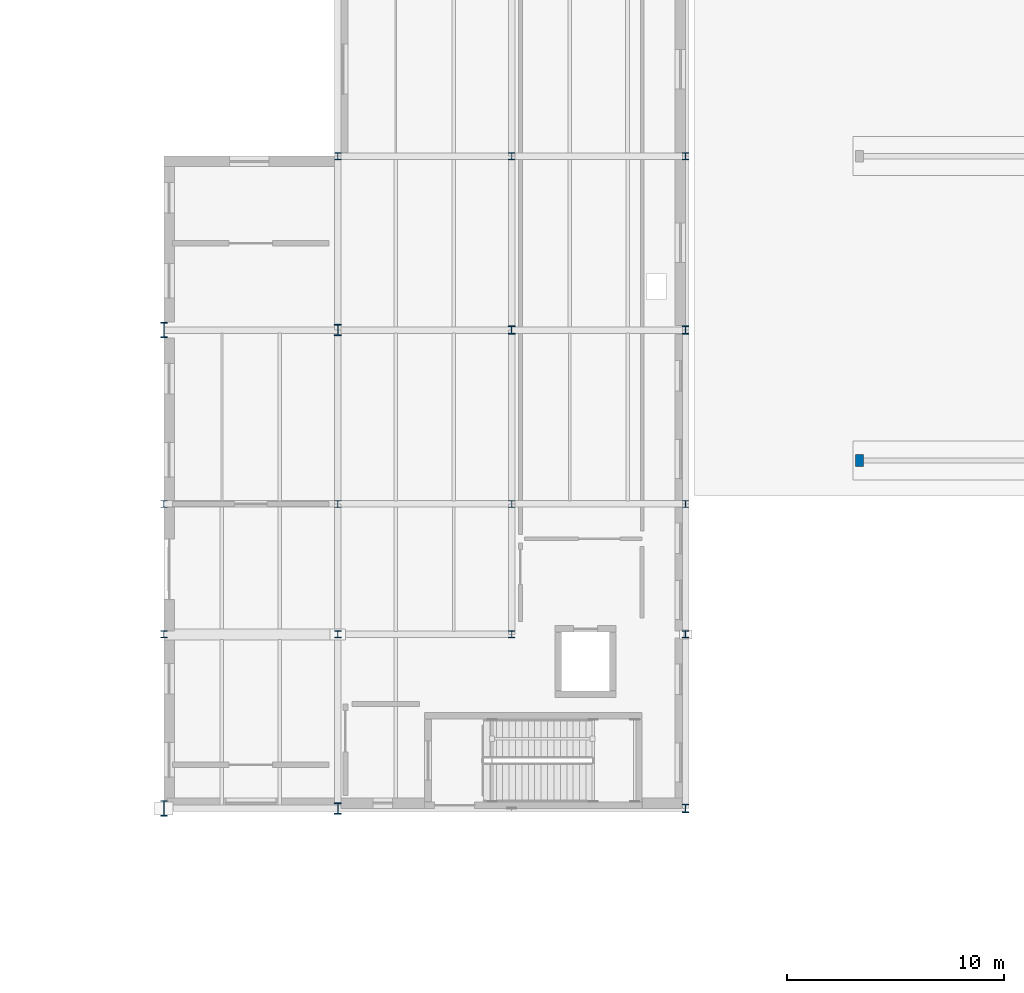
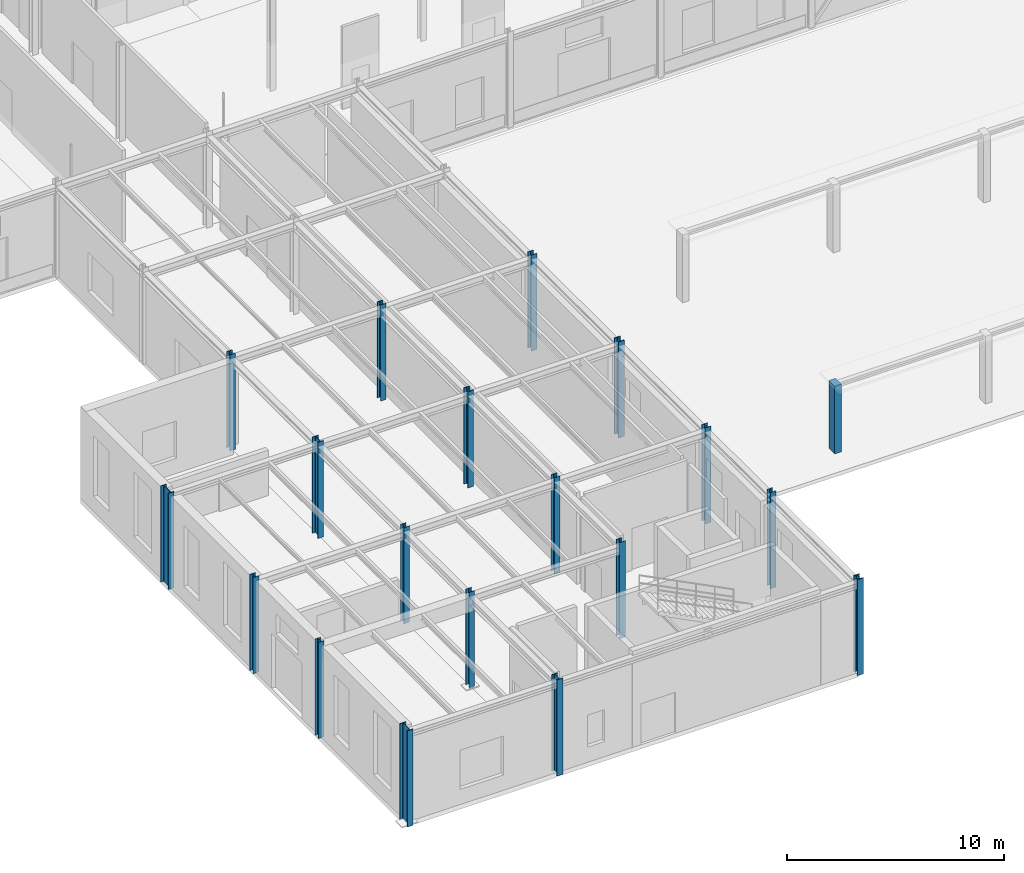
# One storey, part 1 of 129: 19 columns.
"""IFC4 building model written with IfcOpenShell, lengths in metres."""

import ifcopenshell
import ifcopenshell.guid

model = None  # the IFC model being written
_history = None  # IfcOwnerHistory: only IFC2X3 demands one
_inside = {}  # id of a spatial element -> (the spatial element, [elements in it])
_under = {}  # id of a project, library or spatial element -> (it, [spatial elements below it])
_declared = {}  # id of a project -> (the project, [libraries it declares])
_typed = {}  # id of a type object -> (the type object, [elements of that type])
_made_of = {}  # id of a material, layer set ... -> (it, [elements and type objects made of it])


def new_model(schema):
    """Start an empty IFC model of exactly this schema.

    Asked for "IFC4X3", IfcOpenShell would pick the latest addendum, in which some entities
    have other attributes; the version numbers below select the first issue.
    IFC2X3 requires an IfcOwnerHistory on every rooted entity: one is made here for all.
    """
    global model, _history
    if schema == "IFC4X3":
        model = ifcopenshell.file(schema_version=(4, 3, 0, 0))
    else:
        model = ifcopenshell.file(schema=schema)
    _inside.clear()
    _under.clear()
    _declared.clear()
    _typed.clear()
    _made_of.clear()
    _history = None
    if model.schema == "IFC2X3":
        org = make("IfcOrganization", Name="unknown")
        user = make(
            "IfcPersonAndOrganization",
            ThePerson=make("IfcPerson", FamilyName="unknown"),
            TheOrganization=org,
        )
        app = make(
            "IfcApplication",
            ApplicationDeveloper=org,
            Version="unknown",
            ApplicationFullName="unknown",
            ApplicationIdentifier="unknown",
        )
        _history = make(
            "IfcOwnerHistory",
            OwningUser=user,
            OwningApplication=app,
            ChangeAction="ADDED",
            CreationDate=0,
        )
    return model


def make(cls, **values):
    """One entity of the class cls with the attributes given. An attribute that is None is left unset."""
    return model.create_entity(
        cls, **{name: value for name, value in values.items() if value is not None}
    )


def rooted(cls, **values):
    """An entity with a GlobalId (a new one), such as an element, a storey or a relation."""
    return make(cls, GlobalId=ifcopenshell.guid.new(), OwnerHistory=_history, **values)


def si_unit(unit_type, name, prefix=None):
    """IfcSIUnit, for example si_unit("LENGTHUNIT", "METRE", prefix="MILLI")."""
    return make("IfcSIUnit", UnitType=unit_type, Prefix=prefix, Name=name)


def assignment(units):
    """IfcUnitAssignment: the units of a project."""
    return None if units is None else make("IfcUnitAssignment", Units=units)


def point(xyz):
    """IfcCartesianPoint."""
    return None if xyz is None else make("IfcCartesianPoint", Coordinates=xyz)


def direction(xyz):
    """IfcDirection."""
    return None if xyz is None else make("IfcDirection", DirectionRatios=xyz)


def frame(location, z_axis=None, x_axis=None):
    """IfcAxis2Placement3D, a coordinate frame: its origin and axes. An axis left out is left unset."""
    return make(
        "IfcAxis2Placement3D",
        Location=point(location),
        Axis=direction(z_axis),
        RefDirection=direction(x_axis),
    )


def frame_2d(location, x_axis=None):
    """IfcAxis2Placement2D, a coordinate frame in the plane: its origin and x axis."""
    return make(
        "IfcAxis2Placement2D", Location=point(location), RefDirection=direction(x_axis)
    )


def origin():
    """The frame at (0, 0, 0) with its axes left unset."""
    return frame((0.0, 0.0, 0.0))


def origin_2d():
    """The frame at (0, 0) in the plane with its x axis left unset."""
    return frame_2d((0.0, 0.0))


def place(relative_to, where):
    """IfcLocalPlacement: puts the frame where relative to a parent placement (None: the world)."""
    return make(
        "IfcLocalPlacement", PlacementRelTo=relative_to, RelativePlacement=where
    )


def context(
    kind, dimensions, precision=None, world=None, true_north=None, identifier=None
):
    """IfcGeometricRepresentationContext, for example the 3D "Model" context."""
    return make(
        "IfcGeometricRepresentationContext",
        ContextIdentifier=identifier,
        ContextType=kind,
        CoordinateSpaceDimension=dimensions,
        Precision=precision,
        WorldCoordinateSystem=world,
        TrueNorth=true_north,
    )


def subcontext(parent, identifier, kind, view, scale=None):
    """IfcGeometricRepresentationSubContext, for example "Body" below "Model"."""
    return make(
        "IfcGeometricRepresentationSubContext",
        ContextIdentifier=identifier,
        ContextType=kind,
        ParentContext=parent,
        TargetScale=scale,
        TargetView=view,
    )


def project(units=None, contexts=None):
    """IfcProject with its units and contexts."""
    return rooted(
        "IfcProject",
        Name="project",
        RepresentationContexts=contexts,
        UnitsInContext=assignment(units),
    )


def spatial(cls, under=None, at=None, **own):
    """A site, building, storey or space (cls), placed at a placement, below another one or the project."""
    s = rooted(cls, ObjectPlacement=at, **own)
    if under is not None:
        _under.setdefault(under.id(), (under, []))[1].append(s)
    return s


def profile(cls, at=None, kind="AREA", **sizes):
    """A parametric profile (cls). Its sizes go by their IFC names, for example OverallWidth=200.0."""
    return make(cls, ProfileType=kind, Position=at, **sizes)


def rectangle(**sizes):
    """IfcRectangleProfileDef."""
    return profile("IfcRectangleProfileDef", **sizes)


def i_section(**sizes):
    """IfcIShapeProfileDef."""
    return profile("IfcIShapeProfileDef", **sizes)


def extrude(swept, where, along, depth):
    """IfcExtrudedAreaSolid: the profile swept, set in the frame where, extruded along a direction by depth."""
    return make(
        "IfcExtrudedAreaSolid",
        SweptArea=swept,
        Position=where,
        ExtrudedDirection=direction(along),
        Depth=depth,
    )


def shape(context_of_items, identifier, shape_type, items):
    """IfcShapeRepresentation: the items that make up one representation, for example the "Body"."""
    return make(
        "IfcShapeRepresentation",
        ContextOfItems=context_of_items,
        RepresentationIdentifier=identifier,
        RepresentationType=shape_type,
        Items=items,
    )


def material(Name=None, Category=None):
    """IfcMaterial."""
    return make("IfcMaterial", Name=Name, Category=Category)


def material_profile(
    of_material, cross_section, Name=None, Category=None, Priority=None
):
    """IfcMaterialProfile: a cross section and its material."""
    return make(
        "IfcMaterialProfile",
        Name=Name,
        Material=of_material,
        Profile=cross_section,
        Priority=Priority,
        Category=Category,
    )


def profile_set(profiles, Name=None, composite=None):
    """IfcMaterialProfileSet."""
    return make(
        "IfcMaterialProfileSet",
        Name=Name,
        MaterialProfiles=profiles,
        CompositeProfile=composite,
    )


def made_of(thing, what):
    """Note that an element or type object is made of a material, layer set ...; save() writes the relation."""
    if what is not None:
        _made_of.setdefault(what.id(), (what, []))[1].append(thing)
    return thing


def type_object(cls, material=None, **own):
    """A type object (cls), such as IfcWallType, which elements share."""
    return made_of(rooted(cls, **own), material)


def element(
    cls,
    number,
    at=None,
    inside=None,
    cuts=None,
    type_object=None,
    material=None,
    context=None,
    identifier="Body",
    shape_type=None,
    held_by="IfcProductDefinitionShape",
    body=None,
    shapes=None,
    **own,
):
    """One element of the class cls, such as IfcWall. Its Tag is "e" and its number.

    at: its placement. inside: the storey or other place that contains it. cuts: it is an
    opening in that element (IfcRelVoidsElement). A single representation is given by context,
    identifier, shape_type and body (its items); several are given by shapes. held_by: the class
    of the entity that holds the representations. save() writes the other relations.
    """
    e = rooted(cls, Tag="e%d" % number, ObjectPlacement=at, **own)
    if body is not None:
        shapes = [shape(context, identifier, shape_type, body)]
    if shapes is not None:
        e.Representation = make(held_by, Representations=shapes)
    if inside is not None:
        _inside.setdefault(inside.id(), (inside, []))[1].append(e)
    if cuts is not None:
        rooted(
            "IfcRelVoidsElement", RelatingBuildingElement=cuts, RelatedOpeningElement=e
        )
    if type_object is not None:
        _typed.setdefault(type_object.id(), (type_object, []))[1].append(e)
    return made_of(e, material)


def aggregate(whole, parts):
    """IfcRelAggregates: a whole, such as a stair, and the parts it consists of."""
    return rooted("IfcRelAggregates", RelatingObject=whole, RelatedObjects=parts)


def save(model, path):
    """Write the relations noted so far, then the file.

    IfcRelAggregates (storeys below a building ...), IfcRelContainedInSpatialStructure (elements
    in a storey), IfcRelDefinesByType, IfcRelAssociatesMaterial and IfcRelDeclares: one each for
    every whole, place, type object, material and project.
    """
    for whole, parts in _under.values():
        aggregate(whole, parts)
    for where, things in _inside.values():
        rooted(
            "IfcRelContainedInSpatialStructure",
            RelatedElements=things,
            RelatingStructure=where,
        )
    for kind, things in _typed.values():
        rooted("IfcRelDefinesByType", RelatedObjects=things, RelatingType=kind)
    for what, things in _made_of.values():
        rooted("IfcRelAssociatesMaterial", RelatedObjects=things, RelatingMaterial=what)
    for by, libraries in _declared.values():
        rooted("IfcRelDeclares", RelatingContext=by, RelatedDefinitions=libraries)
    model.write(path)


model = new_model("IFC4")

# Units and contexts
model_context = context("Model", 3, precision=1e-05, world=origin(), true_north=direction((0.0, 1.0)))
body_context = subcontext(model_context, "Body", "Model", "MODEL_VIEW")
ifc_project = project(units=[si_unit("LENGTHUNIT", "METRE"), si_unit("AREAUNIT", "SQUARE_METRE"), si_unit("VOLUMEUNIT", "CUBIC_METRE"), si_unit("PLANEANGLEUNIT", "RADIAN"), si_unit("MASSUNIT", "GRAM", prefix="KILO")], contexts=[model_context])

# Site, building, storey
site_placement = place(None, origin())
site = spatial("IfcSite", under=ifc_project, at=site_placement, CompositionType="ELEMENT")
building_placement = place(site_placement, origin())
building = spatial("IfcBuilding", under=site, at=building_placement, Name="Sundkrona Museum", CompositionType="ELEMENT")
storey_placement = place(building_placement, origin())
storey = spatial("IfcBuildingStorey", under=building, at=storey_placement, Name="L00", CompositionType="ELEMENT", Elevation=0.0)

# Columns
ifc_material_1 = material(Name="Steel S355J2", Category="steel")
ifc_material_profile_1 = material_profile(ifc_material_1, i_section(OverallWidth=0.300048828125, OverallDepth=0.320068359375, WebThickness=0.011474609375, FlangeThickness=0.0205078125, FilletRadius=0.027099609375, at=origin_2d()), Name="HEB 320")
ifc_profile_set_1 = profile_set([ifc_material_profile_1], Name="Steel S355J2")
column_type_1 = type_object("IfcColumnType", Name="C-HEB320", PredefinedType="COLUMN", material=ifc_profile_set_1)
for number, where, z_axis, x_axis, name in (
    (1, (16.0, 40.0, 0.0), (0.0, 0.0, 1.0), (1.0, 0.0, 0.0), "L00 Column F/3"),
    (2, (16.0, 46.0, 0.0), (0.0, 0.0, 1.0), (1.0, 0.0, 0.0), "L00 Column G/3"),
    (3, (24.0, 40.0, 0.0), (0.0, 0.0, 1.0), (1.0, 0.0, 0.0), "L00 Column F/4"),
    (4, (24.0, 46.0, 0.0), (0.0, 0.0, 1.0), (1.0, 0.0, 0.0), "L00 Column G/4"),
    (5, (24.0, 62.0, 0.0), (0.0, 0.0, 1.0), (1.0, 0.0, 0.0), "L00 Column J/4"),
    (6, (32.0, 40.0, 0.0), (0.0, 0.0, 1.0), (1.0, 0.0, 0.0), "L00 Column F/5"),
    (7, (32.0, 46.0, 0.0), (0.0, 0.0, 1.0), (1.0, 0.0, 0.0), "L00 Column G/5"),
    (8, (32.0, 62.0, 0.0), (0.0, 0.0, 1.0), (1.0, 0.0, 0.0), "L00 Column J/5"),
    (9, (40.0, 40.0, 0.0), (0.0, 0.0, 1.0), (1.0, 0.0, 0.0), "L00 Column F/6"),
    (10, (40.0, 46.0, 0.0), (0.0, 0.0, 1.0), (1.0, 0.0, 0.0), "L00 Column G/6"),
    (11, (40.0, 62.0, 0.0), (0.0, 0.0, 1.0), (1.0, 0.0, 0.0), "L00 Column J/6"),
):
    element("IfcColumn", number, at=place(storey_placement, frame(where, z_axis=z_axis, x_axis=x_axis)), inside=storey, type_object=column_type_1, Name=name, PredefinedType="COLUMN", context=body_context, shape_type="SweptSolid", body=[
        extrude(i_section(OverallWidth=0.300048828125, OverallDepth=0.320068359375, WebThickness=0.011474609375, FlangeThickness=0.0205078125, FilletRadius=0.027099609375, at=origin_2d()), origin(), (0.0, 0.0, 1.0), 5.39990234375),
    ])
ifc_material_2 = material(Name="Steel S460M", Category="steel")
ifc_material_profile_2 = material_profile(ifc_material_2, i_section(OverallWidth=0.30810546875, OverallDepth=0.39501953125, WebThickness=0.02099609375, FlangeThickness=0.0400390625, FilletRadius=0.027099609375, at=origin_2d()), Name="HEM 360")
ifc_profile_set_2 = profile_set([ifc_material_profile_2], Name="Steel S460M")
column_type_2 = type_object("IfcColumnType", Name="C-HEM360", PredefinedType="COLUMN", material=ifc_profile_set_2)
for number, where, z_axis, x_axis, name in (
    (12, (32.0, 54.0, 0.0), (0.0, 0.0, 1.0), (1.0, 0.0, 0.0), "L00 Column H/5"),
    (13, (40.0, 32.0, 0.0), (0.0, 0.0, 1.0), (1.0, 0.0, 0.0), "L00 Column E/6"),
    (14, (40.0, 54.0, 0.0), (0.0, 0.0, 1.0), (1.0, 0.0, 0.0), "L00 Column H/6"),
):
    element("IfcColumn", number, at=place(storey_placement, frame(where, z_axis=z_axis, x_axis=x_axis)), inside=storey, type_object=column_type_2, Name=name, PredefinedType="COLUMN", context=body_context, shape_type="SweptSolid", body=[
        extrude(i_section(OverallWidth=0.30810546875, OverallDepth=0.39501953125, WebThickness=0.02099609375, FlangeThickness=0.0400390625, FilletRadius=0.027099609375, at=origin_2d()), origin(), (0.0, 0.0, 1.0), 5.39990234375),
    ])
ifc_material_profile_3 = material_profile(ifc_material_2, i_section(OverallWidth=0.305908203125, OverallDepth=0.52392578125, WebThickness=0.02099609375, FlangeThickness=0.0400390625, FilletRadius=0.027099609375, at=origin_2d()), Name="HEM 500")
ifc_profile_set_3 = profile_set([ifc_material_profile_3], Name="Steel S460M")
column_type_3 = type_object("IfcColumnType", Name="C-HEM500", PredefinedType="COLUMN", material=ifc_profile_set_3)
for number, where, z_axis, x_axis, name in (
    (15, (24.0, 32.0, 0.0), (0.0, 0.0, 1.0), (1.0, 0.0, 0.0), "L00 Column E/4"),
    (16, (24.0, 54.0, 0.0), (0.0, 0.0, 1.0), (1.0, 0.0, 0.0), "L00 Column H/4"),
):
    element("IfcColumn", number, at=place(storey_placement, frame(where, z_axis=z_axis, x_axis=x_axis)), inside=storey, type_object=column_type_3, Name=name, PredefinedType="COLUMN", context=body_context, shape_type="SweptSolid", body=[
        extrude(i_section(OverallWidth=0.305908203125, OverallDepth=0.52392578125, WebThickness=0.02099609375, FlangeThickness=0.0400390625, FilletRadius=0.027099609375, at=origin_2d()), origin(), (0.0, 0.0, 1.0), 5.39990234375),
    ])
ifc_material_profile_4 = material_profile(ifc_material_2, i_section(OverallWidth=0.303955078125, OverallDepth=0.716064453125, WebThickness=0.02099609375, FlangeThickness=0.0400390625, FilletRadius=0.027099609375, at=origin_2d()), Name="HEM 700")
ifc_profile_set_4 = profile_set([ifc_material_profile_4], Name="Steel S460M")
column_type_4 = type_object("IfcColumnType", Name="C-HEM700", PredefinedType="COLUMN", material=ifc_profile_set_4)
for number, where, z_axis, x_axis, name in (
    (17, (16.0, 32.0, 0.0), (0.0, 0.0, 1.0), (1.0, 0.0, 0.0), "L00 Column E/3"),
    (18, (16.0, 54.0, 0.0), (0.0, 0.0, 1.0), (1.0, 0.0, 0.0), "L00 Column H/3"),
):
    element("IfcColumn", number, at=place(storey_placement, frame(where, z_axis=z_axis, x_axis=x_axis)), inside=storey, type_object=column_type_4, Name=name, PredefinedType="COLUMN", context=body_context, shape_type="SweptSolid", body=[
        extrude(i_section(OverallWidth=0.303955078125, OverallDepth=0.716064453125, WebThickness=0.02099609375, FlangeThickness=0.0400390625, FilletRadius=0.027099609375, at=origin_2d()), origin(), (0.0, 0.0, 1.0), 5.39990234375),
    ])
ifc_material_3 = material(Name="Concrete C40/50", Category="concrete")
ifc_material_profile_5 = material_profile(ifc_material_3, rectangle(XDim=0.360107421875, YDim=0.5400390625, at=origin_2d()), Name="RC 540x360")
ifc_profile_set_5 = profile_set([ifc_material_profile_5], Name="Concrete C40/50")
column_type_5 = type_object("IfcColumnType", Name="PIL-540", PredefinedType="PILASTER", material=ifc_profile_set_5)
column_placement = place(storey_placement, frame((48.0, 48.0, 0.0), z_axis=(0.0, 0.0, 1.0), x_axis=(1.0, 0.0, 0.0)))
element("IfcColumn", 19, at=column_placement, inside=storey, type_object=column_type_5, Name="Courtyard Cloister Pilaster PF-CL-01", PredefinedType="PILASTER", context=body_context, shape_type="SweptSolid", body=[
    extrude(rectangle(XDim=0.360107421875, YDim=0.5400390625, at=origin_2d()), origin(), (0.0, 0.0, 1.0), 3.800048828125),
])

save(model, "model.ifc")
